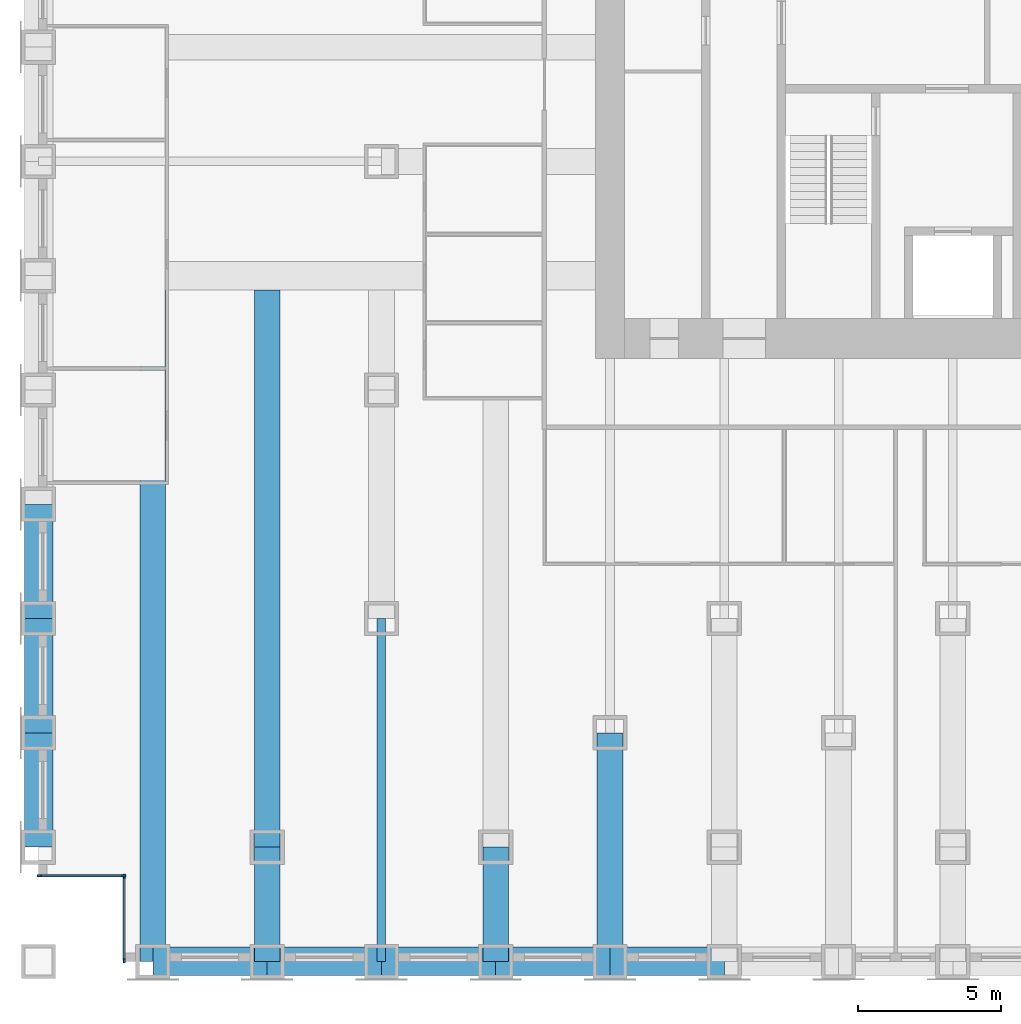
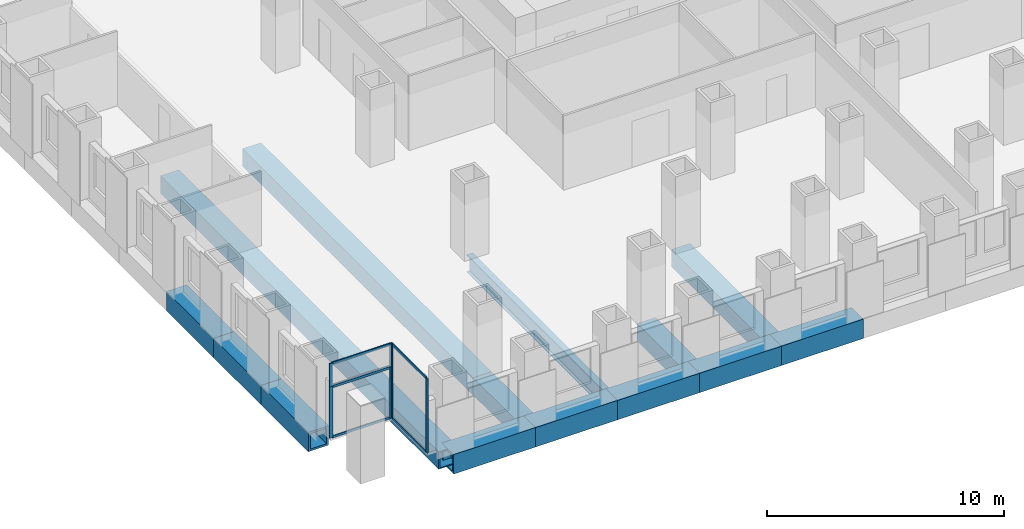
# One storey, part 2 of 15: 14 beams, 12 members, 3 elements without a shape of their own.
"""IFC4 building model written with IfcOpenShell, lengths in metres."""

from ifc_helpers import new_model, si_unit, direction, frame, origin, origin_2d, place, context, subcontext, project, spatial, rectangle, hollow_rectangle, i_section, extrude, material, material_profile, profile_set, type_object, element, aggregate, save


model = new_model("IFC4")

# Units and contexts
model_context = context("Model", 3, precision=1e-05, world=origin(), true_north=direction((0.0, 1.0)))
body_context = subcontext(model_context, "Body", "Model", "MODEL_VIEW")
ifc_project = project(units=[si_unit("LENGTHUNIT", "METRE"), si_unit("AREAUNIT", "SQUARE_METRE"), si_unit("VOLUMEUNIT", "CUBIC_METRE"), si_unit("PLANEANGLEUNIT", "RADIAN"), si_unit("MASSUNIT", "GRAM", prefix="KILO")], contexts=[model_context])

# Site, building, storey
site_placement = place(None, origin())
site = spatial("IfcSite", under=ifc_project, at=site_placement, CompositionType="ELEMENT")
building_placement = place(site_placement, origin())
building = spatial("IfcBuilding", under=site, at=building_placement, Name="Rimbunsela Tower", CompositionType="ELEMENT")
storey_placement = place(building_placement, frame((0.0, 0.0, 39.0)))
storey = spatial("IfcBuildingStorey", under=building, at=storey_placement, Name="L09", CompositionType="ELEMENT", Elevation=39.0)

# Beams
ifc_material_1 = material(Name="Steel BJ 55 (fy 410 MPa)", Category="steel")
ifc_material_profile_1 = material_profile(ifc_material_1, hollow_rectangle(XDim=1.0, YDim=1.0, WallThickness=0.10009765625, at=origin_2d()), Name="BOX 1000x1000x100")
ifc_profile_set_1 = profile_set([ifc_material_profile_1], Name="Steel BJ 55 (fy 410 MPa)")
beam_type_1 = type_object("IfcBeamType", Name="Beam BOX 1000x1000x100", PredefinedType="BEAM", material=ifc_profile_set_1)
for number, where, z_axis, x_axis, name in (
    (1, (-2.0, 0.0, -0.64990234375), (0.0, 1.0, 0.0), (-1.0, 0.0, 0.0), "Beam B3 L09"),
    (2, (-2.0, 4.0, -0.64990234375), (0.0, 1.0, 0.0), (-1.0, 0.0, 0.0), "Beam B3 L09"),
    (3, (-2.0, 8.0, -0.64990234375), (0.0, 1.0, 0.0), (-1.0, 0.0, 0.0), "Beam B3 L09"),
    (4, (2.0, -4.0, -0.64990234375), (1.0, 0.0, 0.0), (0.0, 1.0, 0.0), "Beam B3 L09"),
    (5, (6.0, -4.0, -0.64990234375), (1.0, 0.0, 0.0), (0.0, 1.0, 0.0), "Beam B3 L09"),
    (6, (10.0, -4.0, -0.64990234375), (1.0, 0.0, 0.0), (0.0, 1.0, 0.0), "Beam B3 L09"),
    (7, (14.0, -4.0, -0.64990234375), (1.0, 0.0, 0.0), (0.0, 1.0, 0.0), "Beam B3 L09"),
    (8, (18.0, -4.0, -0.64990234375), (1.0, 0.0, 0.0), (0.0, 1.0, 0.0), "Beam B3 L09"),
):
    element("IfcBeam", number, at=place(storey_placement, frame(where, z_axis=z_axis, x_axis=x_axis)), inside=storey, type_object=beam_type_1, Name=name, PredefinedType="BEAM", context=body_context, shape_type="SweptSolid", body=[
        extrude(hollow_rectangle(XDim=1.0, YDim=1.0, WallThickness=0.10009765625, at=origin_2d()), origin(), (0.0, 0.0, 1.0), 4.0),
    ])
ifc_material_2 = material(Name="Steel BJ 55 (fy 410 MPa)", Category="steel")
ifc_material_profile_2 = material_profile(ifc_material_2, hollow_rectangle(XDim=0.89990234375, YDim=0.89990234375, WallThickness=0.06005859375, at=origin_2d()), Name="BOX 900x900x60")
ifc_profile_set_2 = profile_set([ifc_material_profile_2], Name="Steel BJ 55 (fy 410 MPa)")
beam_type_2 = type_object("IfcBeamType", Name="Beam BOX 900x900x60", PredefinedType="BEAM", material=ifc_profile_set_2)
beam_1_placement = place(storey_placement, frame((2.0, -4.0, -0.60009765625), z_axis=(0.0, 1.0, 0.0), x_axis=(-1.0, 0.0, 0.0)))
element("IfcBeam", 9, at=beam_1_placement, inside=storey, type_object=beam_type_2, Name="Beam B1 L09", PredefinedType="BEAM", context=body_context, shape_type="SweptSolid", body=[
    extrude(hollow_rectangle(XDim=0.89990234375, YDim=0.89990234375, WallThickness=0.06005859375, at=origin_2d()), origin(), (0.0, 0.0, 1.0), 23.5),
])
beam_2_placement = place(storey_placement, frame((6.0, -4.0, -0.60009765625), z_axis=(0.0, 1.0, 0.0), x_axis=(-1.0, 0.0, 0.0)))
element("IfcBeam", 10, at=beam_2_placement, inside=storey, type_object=beam_type_2, Name="Beam B1 L09", PredefinedType="BEAM", context=body_context, shape_type="SweptSolid", body=[
    extrude(hollow_rectangle(XDim=0.89990234375, YDim=0.89990234375, WallThickness=0.06005859375, at=origin_2d()), origin(), (0.0, 0.0, 1.0), 4.0),
])
beam_3_placement = place(storey_placement, frame((6.0, 0.0, -0.60009765625), z_axis=(0.0, 1.0, 0.0), x_axis=(-1.0, 0.0, 0.0)))
element("IfcBeam", 11, at=beam_3_placement, inside=storey, type_object=beam_type_2, Name="Beam B1 L09", PredefinedType="BEAM", context=body_context, shape_type="SweptSolid", body=[
    extrude(hollow_rectangle(XDim=0.89990234375, YDim=0.89990234375, WallThickness=0.06005859375, at=origin_2d()), origin(), (0.0, 0.0, 1.0), 19.5),
])
beam_4_placement = place(storey_placement, frame((14.0, -4.0, -0.60009765625), z_axis=(0.0, 1.0, 0.0), x_axis=(-1.0, 0.0, 0.0)))
element("IfcBeam", 12, at=beam_4_placement, inside=storey, type_object=beam_type_2, Name="Beam B1 L09", PredefinedType="BEAM", context=body_context, shape_type="SweptSolid", body=[
    extrude(hollow_rectangle(XDim=0.89990234375, YDim=0.89990234375, WallThickness=0.06005859375, at=origin_2d()), origin(), (0.0, 0.0, 1.0), 4.0),
])
beam_5_placement = place(storey_placement, frame((18.0, -4.0, -0.60009765625), z_axis=(0.0, 1.0, 0.0), x_axis=(-1.0, 0.0, 0.0)))
element("IfcBeam", 13, at=beam_5_placement, inside=storey, type_object=beam_type_2, Name="Beam B1 L09", PredefinedType="BEAM", context=body_context, shape_type="SweptSolid", body=[
    extrude(hollow_rectangle(XDim=0.89990234375, YDim=0.89990234375, WallThickness=0.06005859375, at=origin_2d()), origin(), (0.0, 0.0, 1.0), 8.0),
])
ifc_material_3 = material(Name="Steel BJ 55 (fy 410 MPa)", Category="steel")
ifc_material_profile_3 = material_profile(ifc_material_3, i_section(OverallWidth=0.300048828125, OverallDepth=0.89990234375, WebThickness=0.01611328125, FlangeThickness=0.028076171875, FilletRadius=0.028076171875, at=origin_2d()), Name="H 900x300x16x28")
ifc_profile_set_3 = profile_set([ifc_material_profile_3], Name="Steel BJ 55 (fy 410 MPa)")
beam_type_3 = type_object("IfcBeamType", Name="Beam H 900x300x16x28", PredefinedType="BEAM", material=ifc_profile_set_3)
beam_6_placement = place(storey_placement, frame((10.0, -4.0, -0.60009765625), z_axis=(0.0, 1.0, 0.0), x_axis=(-1.0, 0.0, 0.0)))
element("IfcBeam", 14, at=beam_6_placement, inside=storey, type_object=beam_type_3, Name="Beam B2 L09", PredefinedType="BEAM", context=body_context, shape_type="SweptSolid", body=[
    extrude(i_section(OverallWidth=0.300048828125, OverallDepth=0.89990234375, WebThickness=0.01611328125, FlangeThickness=0.028076171875, FilletRadius=0.028076171875, at=origin_2d()), origin(), (0.0, 0.0, 1.0), 12.0),
])

# Curtain wall, members
ifc_material_4 = material(Name="Aluminium curtain wall", Category="aluminium")
curtain_wall_type_1 = type_object("IfcCurtainWallType", Name="Corner glazing", PredefinedType="USERDEFINED", material=ifc_material_4)
curtain_wall_1_placement = place(storey_placement, origin())
curtain_wall_1 = element("IfcCurtainWall", 15, at=curtain_wall_1_placement, inside=storey, type_object=curtain_wall_type_1, Name="Corner glazing L09", ObjectType="CORNER GLAZING", PredefinedType="USERDEFINED")
ifc_material_5 = material(Name="Aluminium mullion", Category="aluminium")
ifc_material_profile_4 = material_profile(ifc_material_5, rectangle(XDim=0.06005859375, YDim=0.159912109375, at=origin_2d()), Name="Mullion 60x160")
ifc_profile_set_4 = profile_set([ifc_material_profile_4], Name="Aluminium mullion")
member_type_1 = type_object("IfcMemberType", Name="Curtain wall mullion 60x160", PredefinedType="MULLION", material=ifc_profile_set_4)
member_1_placement = place(storey_placement, frame((-1.969970703125, -1.0, 0.0), z_axis=(0.0, 0.0, 1.0), x_axis=(0.0, 1.0, 0.0)))
member_1 = element("IfcMember", 16, at=member_1_placement, type_object=member_type_1, Name="CW5 mullion 1", PredefinedType="MULLION", context=body_context, shape_type="SweptSolid", body=[
    extrude(rectangle(XDim=0.06005859375, YDim=0.159912109375, at=origin_2d()), origin(), (0.0, 0.0, 1.0), 2.64990234375),
])
member_2_placement = place(storey_placement, frame((0.969970703125, -1.0, 0.0), z_axis=(0.0, 0.0, 1.0), x_axis=(0.0, 1.0, 0.0)))
member_2 = element("IfcMember", 17, at=member_2_placement, type_object=member_type_1, Name="CW5 mullion 2", PredefinedType="MULLION", context=body_context, shape_type="SweptSolid", body=[
    extrude(rectangle(XDim=0.06005859375, YDim=0.159912109375, at=origin_2d()), origin(), (0.0, 0.0, 1.0), 2.64990234375),
])

ifc_material_6 = material(Name="Aluminium curtain wall", Category="aluminium")
curtain_wall_type_2 = type_object("IfcCurtainWallType", Name="Spandrel wall", PredefinedType="USERDEFINED", material=ifc_material_6)
curtain_wall_2_placement = place(storey_placement, origin())
curtain_wall_2 = element("IfcCurtainWall", 18, at=curtain_wall_2_placement, inside=storey, type_object=curtain_wall_type_2, Name="Spandrel wall L09", ObjectType="SPANDREL WALL", PredefinedType="USERDEFINED")
member_3_placement = place(storey_placement, frame((-1.969970703125, -1.0, 2.64990234375), z_axis=(0.0, 0.0, 1.0), x_axis=(0.0, 1.0, 0.0)))
member_3 = element("IfcMember", 19, at=member_3_placement, type_object=member_type_1, Name="CW7 mullion 1", PredefinedType="MULLION", context=body_context, shape_type="SweptSolid", body=[
    extrude(rectangle(XDim=0.06005859375, YDim=0.159912109375, at=origin_2d()), origin(), (0.0, 0.0, 1.0), 1.2001953125),
])
member_4_placement = place(storey_placement, frame((0.969970703125, -1.0, 2.64990234375), z_axis=(0.0, 0.0, 1.0), x_axis=(0.0, 1.0, 0.0)))
member_4 = element("IfcMember", 20, at=member_4_placement, type_object=member_type_1, Name="CW7 mullion 2", PredefinedType="MULLION", context=body_context, shape_type="SweptSolid", body=[
    extrude(rectangle(XDim=0.06005859375, YDim=0.159912109375, at=origin_2d()), origin(), (0.0, 0.0, 1.0), 1.2001953125),
])

curtain_wall_3_placement = place(storey_placement, origin())
curtain_wall_3 = element("IfcCurtainWall", 21, at=curtain_wall_3_placement, inside=storey, type_object=curtain_wall_type_1, Name="Corner glazing L09", ObjectType="CORNER GLAZING", PredefinedType="USERDEFINED")
member_5_placement = place(storey_placement, frame((1.0, -1.030029296875, 0.0), z_axis=(0.0, 0.0, 1.0), x_axis=(1.0, 0.0, 0.0)))
member_5 = element("IfcMember", 22, at=member_5_placement, type_object=member_type_1, Name="CW5 mullion 1", PredefinedType="MULLION", context=body_context, shape_type="SweptSolid", body=[
    extrude(rectangle(XDim=0.06005859375, YDim=0.159912109375, at=origin_2d()), origin(), (0.0, 0.0, 1.0), 3.85009765625),
])
member_6_placement = place(storey_placement, frame((1.0, -3.969970703125, 0.0), z_axis=(0.0, 0.0, 1.0), x_axis=(1.0, 0.0, 0.0)))
member_6 = element("IfcMember", 23, at=member_6_placement, type_object=member_type_1, Name="CW5 mullion 2", PredefinedType="MULLION", context=body_context, shape_type="SweptSolid", body=[
    extrude(rectangle(XDim=0.06005859375, YDim=0.159912109375, at=origin_2d()), origin(), (0.0, 0.0, 1.0), 3.85009765625),
])

# Member
ifc_material_7 = material(Name="Aluminium transom", Category="aluminium")
ifc_material_profile_5 = material_profile(ifc_material_7, rectangle(XDim=0.06005859375, YDim=0.1201171875, at=origin_2d()), Name="Transom 60x120")
ifc_profile_set_5 = profile_set([ifc_material_profile_5], Name="Aluminium transom")
member_type_2 = type_object("IfcMemberType", Name="Curtain wall transom 60x120", PredefinedType="USERDEFINED", material=ifc_profile_set_5)
member_7_placement = place(storey_placement, frame((-1.93994140625, -1.0, 0.030029296875), z_axis=(1.0, 0.0, 0.0), x_axis=(0.0, 1.0, 0.0)))
member_7 = element("IfcMember", 24, at=member_7_placement, type_object=member_type_2, Name="CW5 transom 1.1", ObjectType="TRANSOM", PredefinedType="USERDEFINED", context=body_context, shape_type="SweptSolid", body=[
    extrude(rectangle(XDim=0.06005859375, YDim=0.1201171875, at=origin_2d()), origin(), (0.0, 0.0, 1.0), 2.8798828125),
])

member_8_placement = place(storey_placement, frame((-1.93994140625, -1.0, 2.6201171875), z_axis=(1.0, 0.0, 0.0), x_axis=(0.0, 1.0, 0.0)))
member_8 = element("IfcMember", 25, at=member_8_placement, type_object=member_type_2, Name="CW5 transom 1.2", ObjectType="TRANSOM", PredefinedType="USERDEFINED", context=body_context, shape_type="SweptSolid", body=[
    extrude(rectangle(XDim=0.06005859375, YDim=0.1201171875, at=origin_2d()), origin(), (0.0, 0.0, 1.0), 2.8798828125),
])

aggregate(curtain_wall_1, [member_1, member_2, member_7, member_8])

member_9_placement = place(storey_placement, frame((-1.93994140625, -1.0, 2.679931640625), z_axis=(1.0, 0.0, 0.0), x_axis=(0.0, 1.0, 0.0)))
member_9 = element("IfcMember", 26, at=member_9_placement, type_object=member_type_2, Name="CW7 transom 1.1", ObjectType="TRANSOM", PredefinedType="USERDEFINED", context=body_context, shape_type="SweptSolid", body=[
    extrude(rectangle(XDim=0.06005859375, YDim=0.1201171875, at=origin_2d()), origin(), (0.0, 0.0, 1.0), 2.8798828125),
])

member_10_placement = place(storey_placement, frame((-1.93994140625, -1.0, 3.820068359375), z_axis=(1.0, 0.0, 0.0), x_axis=(0.0, 1.0, 0.0)))
member_10 = element("IfcMember", 27, at=member_10_placement, type_object=member_type_2, Name="CW7 transom 1.2", ObjectType="TRANSOM", PredefinedType="USERDEFINED", context=body_context, shape_type="SweptSolid", body=[
    extrude(rectangle(XDim=0.06005859375, YDim=0.1201171875, at=origin_2d()), origin(), (0.0, 0.0, 1.0), 2.8798828125),
])

aggregate(curtain_wall_2, [member_3, member_4, member_9, member_10])

member_11_placement = place(storey_placement, frame((1.0, -1.06005859375, 0.030029296875), z_axis=(0.0, -1.0, 0.0), x_axis=(1.0, 0.0, 0.0)))
member_11 = element("IfcMember", 28, at=member_11_placement, type_object=member_type_2, Name="CW5 transom 1.1", ObjectType="TRANSOM", PredefinedType="USERDEFINED", context=body_context, shape_type="SweptSolid", body=[
    extrude(rectangle(XDim=0.06005859375, YDim=0.1201171875, at=origin_2d()), origin(), (0.0, 0.0, 1.0), 2.8798828125),
])

member_12_placement = place(storey_placement, frame((1.0, -1.06005859375, 3.820068359375), z_axis=(0.0, -1.0, 0.0), x_axis=(1.0, 0.0, 0.0)))
member_12 = element("IfcMember", 29, at=member_12_placement, type_object=member_type_2, Name="CW5 transom 1.2", ObjectType="TRANSOM", PredefinedType="USERDEFINED", context=body_context, shape_type="SweptSolid", body=[
    extrude(rectangle(XDim=0.06005859375, YDim=0.1201171875, at=origin_2d()), origin(), (0.0, 0.0, 1.0), 2.8798828125),
])

aggregate(curtain_wall_3, [member_5, member_6, member_11, member_12])

save(model, "model.ifc")
